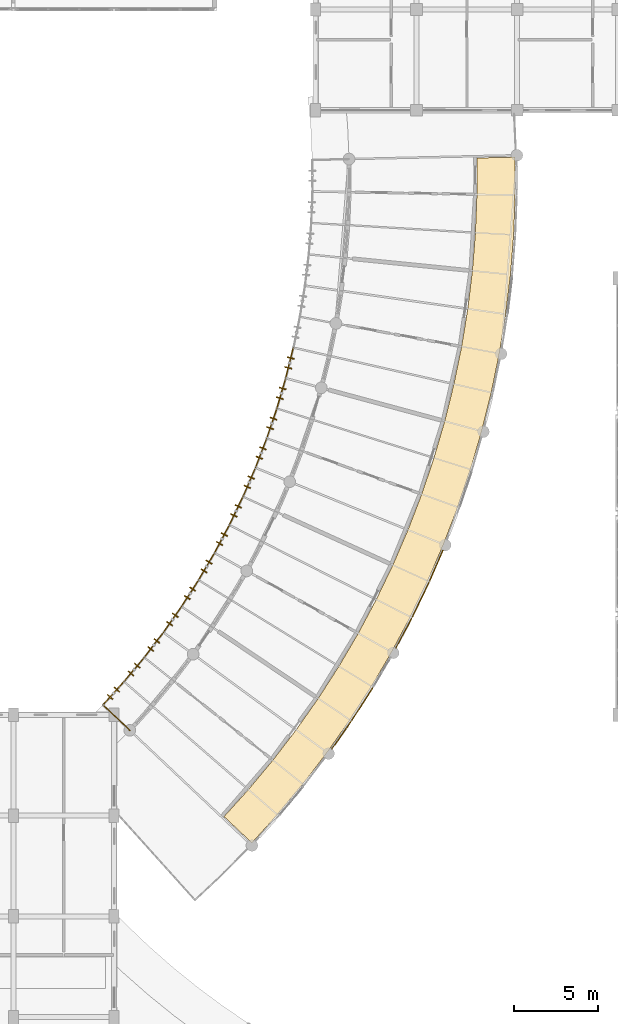
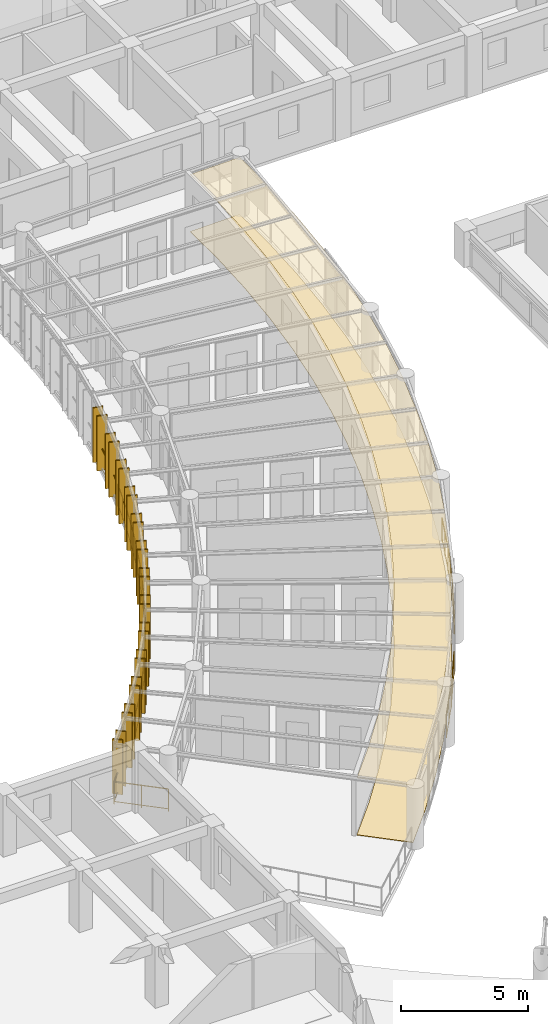
# One storey, part 124 of 137: 26 shading devices, 19 railings, 2 coverings.
"""IFC4 building model written with IfcOpenShell, lengths in metres."""

import ifcopenshell
import ifcopenshell.guid

model = None  # the IFC model being written
_history = None  # IfcOwnerHistory: only IFC2X3 demands one
_inside = {}  # id of a spatial element -> (the spatial element, [elements in it])
_under = {}  # id of a project, library or spatial element -> (it, [spatial elements below it])
_declared = {}  # id of a project -> (the project, [libraries it declares])
_typed = {}  # id of a type object -> (the type object, [elements of that type])
_made_of = {}  # id of a material, layer set ... -> (it, [elements and type objects made of it])


def new_model(schema):
    """Start an empty IFC model of exactly this schema.

    Asked for "IFC4X3", IfcOpenShell would pick the latest addendum, in which some entities
    have other attributes; the version numbers below select the first issue.
    IFC2X3 requires an IfcOwnerHistory on every rooted entity: one is made here for all.
    """
    global model, _history
    if schema == "IFC4X3":
        model = ifcopenshell.file(schema_version=(4, 3, 0, 0))
    else:
        model = ifcopenshell.file(schema=schema)
    _inside.clear()
    _under.clear()
    _declared.clear()
    _typed.clear()
    _made_of.clear()
    _history = None
    if model.schema == "IFC2X3":
        org = make("IfcOrganization", Name="unknown")
        user = make(
            "IfcPersonAndOrganization",
            ThePerson=make("IfcPerson", FamilyName="unknown"),
            TheOrganization=org,
        )
        app = make(
            "IfcApplication",
            ApplicationDeveloper=org,
            Version="unknown",
            ApplicationFullName="unknown",
            ApplicationIdentifier="unknown",
        )
        _history = make(
            "IfcOwnerHistory",
            OwningUser=user,
            OwningApplication=app,
            ChangeAction="ADDED",
            CreationDate=0,
        )
    return model


def make(cls, **values):
    """One entity of the class cls with the attributes given. An attribute that is None is left unset."""
    return model.create_entity(
        cls, **{name: value for name, value in values.items() if value is not None}
    )


def rooted(cls, **values):
    """An entity with a GlobalId (a new one), such as an element, a storey or a relation."""
    return make(cls, GlobalId=ifcopenshell.guid.new(), OwnerHistory=_history, **values)


def si_unit(unit_type, name, prefix=None):
    """IfcSIUnit, for example si_unit("LENGTHUNIT", "METRE", prefix="MILLI")."""
    return make("IfcSIUnit", UnitType=unit_type, Prefix=prefix, Name=name)


def assignment(units):
    """IfcUnitAssignment: the units of a project."""
    return None if units is None else make("IfcUnitAssignment", Units=units)


def point(xyz):
    """IfcCartesianPoint."""
    return None if xyz is None else make("IfcCartesianPoint", Coordinates=xyz)


def direction(xyz):
    """IfcDirection."""
    return None if xyz is None else make("IfcDirection", DirectionRatios=xyz)


def frame(location, z_axis=None, x_axis=None):
    """IfcAxis2Placement3D, a coordinate frame: its origin and axes. An axis left out is left unset."""
    return make(
        "IfcAxis2Placement3D",
        Location=point(location),
        Axis=direction(z_axis),
        RefDirection=direction(x_axis),
    )


def frame_2d(location, x_axis=None):
    """IfcAxis2Placement2D, a coordinate frame in the plane: its origin and x axis."""
    return make(
        "IfcAxis2Placement2D", Location=point(location), RefDirection=direction(x_axis)
    )


def origin():
    """The frame at (0, 0, 0) with its axes left unset."""
    return frame((0.0, 0.0, 0.0))


def origin_2d():
    """The frame at (0, 0) in the plane with its x axis left unset."""
    return frame_2d((0.0, 0.0))


def place(relative_to, where):
    """IfcLocalPlacement: puts the frame where relative to a parent placement (None: the world)."""
    return make(
        "IfcLocalPlacement", PlacementRelTo=relative_to, RelativePlacement=where
    )


def context(
    kind, dimensions, precision=None, world=None, true_north=None, identifier=None
):
    """IfcGeometricRepresentationContext, for example the 3D "Model" context."""
    return make(
        "IfcGeometricRepresentationContext",
        ContextIdentifier=identifier,
        ContextType=kind,
        CoordinateSpaceDimension=dimensions,
        Precision=precision,
        WorldCoordinateSystem=world,
        TrueNorth=true_north,
    )


def subcontext(parent, identifier, kind, view, scale=None):
    """IfcGeometricRepresentationSubContext, for example "Body" below "Model"."""
    return make(
        "IfcGeometricRepresentationSubContext",
        ContextIdentifier=identifier,
        ContextType=kind,
        ParentContext=parent,
        TargetScale=scale,
        TargetView=view,
    )


def project(units=None, contexts=None):
    """IfcProject with its units and contexts."""
    return rooted(
        "IfcProject",
        Name="project",
        RepresentationContexts=contexts,
        UnitsInContext=assignment(units),
    )


def spatial(cls, under=None, at=None, **own):
    """A site, building, storey or space (cls), placed at a placement, below another one or the project."""
    s = rooted(cls, ObjectPlacement=at, **own)
    if under is not None:
        _under.setdefault(under.id(), (under, []))[1].append(s)
    return s


def polyline(points):
    """IfcPolyline through the points."""
    return make("IfcPolyline", Points=[point(p) for p in points])


def profile(cls, at=None, kind="AREA", **sizes):
    """A parametric profile (cls). Its sizes go by their IFC names, for example OverallWidth=200.0."""
    return make(cls, ProfileType=kind, Position=at, **sizes)


def rectangle(**sizes):
    """IfcRectangleProfileDef."""
    return profile("IfcRectangleProfileDef", **sizes)


def circle(**sizes):
    """IfcCircleProfileDef."""
    return profile("IfcCircleProfileDef", **sizes)


def outline(outer, holes=None, kind="AREA"):
    """IfcArbitraryClosedProfileDef: a profile drawn as a closed curve; with holes, ...WithVoids."""
    if holes is None:
        return make("IfcArbitraryClosedProfileDef", ProfileType=kind, OuterCurve=outer)
    return make(
        "IfcArbitraryProfileDefWithVoids",
        ProfileType=kind,
        OuterCurve=outer,
        InnerCurves=holes,
    )


def extrude(swept, where, along, depth):
    """IfcExtrudedAreaSolid: the profile swept, set in the frame where, extruded along a direction by depth."""
    return make(
        "IfcExtrudedAreaSolid",
        SweptArea=swept,
        Position=where,
        ExtrudedDirection=direction(along),
        Depth=depth,
    )


def shape(context_of_items, identifier, shape_type, items):
    """IfcShapeRepresentation: the items that make up one representation, for example the "Body"."""
    return make(
        "IfcShapeRepresentation",
        ContextOfItems=context_of_items,
        RepresentationIdentifier=identifier,
        RepresentationType=shape_type,
        Items=items,
    )


def material(Name=None, Category=None):
    """IfcMaterial."""
    return make("IfcMaterial", Name=Name, Category=Category)


def layer(
    of_material, thickness, ventilated=None, Name=None, Category=None, Priority=None
):
    """IfcMaterialLayer: one layer of a wall or slab, of a material (None: an air gap)."""
    return make(
        "IfcMaterialLayer",
        Material=of_material,
        LayerThickness=thickness,
        IsVentilated=ventilated,
        Name=Name,
        Category=Category,
        Priority=Priority,
    )


def layer_set(layers, Name=None):
    """IfcMaterialLayerSet."""
    return make("IfcMaterialLayerSet", MaterialLayers=layers, LayerSetName=Name)


def made_of(thing, what):
    """Note that an element or type object is made of a material, layer set ...; save() writes the relation."""
    if what is not None:
        _made_of.setdefault(what.id(), (what, []))[1].append(thing)
    return thing


def type_object(cls, material=None, **own):
    """A type object (cls), such as IfcWallType, which elements share."""
    return made_of(rooted(cls, **own), material)


def element(
    cls,
    number,
    at=None,
    inside=None,
    cuts=None,
    type_object=None,
    material=None,
    context=None,
    identifier="Body",
    shape_type=None,
    held_by="IfcProductDefinitionShape",
    body=None,
    shapes=None,
    **own,
):
    """One element of the class cls, such as IfcWall. Its Tag is "e" and its number.

    at: its placement. inside: the storey or other place that contains it. cuts: it is an
    opening in that element (IfcRelVoidsElement). A single representation is given by context,
    identifier, shape_type and body (its items); several are given by shapes. held_by: the class
    of the entity that holds the representations. save() writes the other relations.
    """
    e = rooted(cls, Tag="e%d" % number, ObjectPlacement=at, **own)
    if body is not None:
        shapes = [shape(context, identifier, shape_type, body)]
    if shapes is not None:
        e.Representation = make(held_by, Representations=shapes)
    if inside is not None:
        _inside.setdefault(inside.id(), (inside, []))[1].append(e)
    if cuts is not None:
        rooted(
            "IfcRelVoidsElement", RelatingBuildingElement=cuts, RelatedOpeningElement=e
        )
    if type_object is not None:
        _typed.setdefault(type_object.id(), (type_object, []))[1].append(e)
    return made_of(e, material)


def aggregate(whole, parts):
    """IfcRelAggregates: a whole, such as a stair, and the parts it consists of."""
    return rooted("IfcRelAggregates", RelatingObject=whole, RelatedObjects=parts)


def save(model, path):
    """Write the relations noted so far, then the file.

    IfcRelAggregates (storeys below a building ...), IfcRelContainedInSpatialStructure (elements
    in a storey), IfcRelDefinesByType, IfcRelAssociatesMaterial and IfcRelDeclares: one each for
    every whole, place, type object, material and project.
    """
    for whole, parts in _under.values():
        aggregate(whole, parts)
    for where, things in _inside.values():
        rooted(
            "IfcRelContainedInSpatialStructure",
            RelatedElements=things,
            RelatingStructure=where,
        )
    for kind, things in _typed.values():
        rooted("IfcRelDefinesByType", RelatedObjects=things, RelatingType=kind)
    for what, things in _made_of.values():
        rooted("IfcRelAssociatesMaterial", RelatedObjects=things, RelatingMaterial=what)
    for by, libraries in _declared.values():
        rooted("IfcRelDeclares", RelatingContext=by, RelatedDefinitions=libraries)
    model.write(path)


model = new_model("IFC4")

# Units and contexts
model_context = context("Model", 3, precision=1e-05, world=origin(), true_north=direction((0.0, 1.0)))
body_context = subcontext(model_context, "Body", "Model", "MODEL_VIEW")
ifc_project = project(units=[si_unit("LENGTHUNIT", "METRE"), si_unit("AREAUNIT", "SQUARE_METRE"), si_unit("VOLUMEUNIT", "CUBIC_METRE"), si_unit("PLANEANGLEUNIT", "RADIAN"), si_unit("MASSUNIT", "GRAM", prefix="KILO"), si_unit("POWERUNIT", "WATT"), si_unit("THERMODYNAMICTEMPERATUREUNIT", "KELVIN")], contexts=[model_context])

# Site, building, storey
site_placement = place(None, origin())
site = spatial("IfcSite", under=ifc_project, at=site_placement, CompositionType="ELEMENT")
building_placement = place(site_placement, origin())
building = spatial("IfcBuilding", under=site, at=building_placement, Name="Ruvembo Vaulted Housing Court", CompositionType="ELEMENT")
storey_placement = place(building_placement, frame((0.0, 0.0, 4.5)))
storey = spatial("IfcBuildingStorey", under=building, at=storey_placement, Name="L01", CompositionType="ELEMENT", Elevation=4.5)

# Coverings
ifc_material_1 = material(Name="Perforated Mineral-Fibre Acoustic Tile", Category="gypsum")
ifc_layer_1 = layer(ifc_material_1, 0.02001953125, Name="Perforated Mineral-Fibre Acoustic Tile")
ifc_layer_set_1 = layer_set([ifc_layer_1], Name="Perforated Mineral-Fibre Acoustic Tile")
covering_type_1 = type_object("IfcCoveringType", Name="COV-CEIL-ACOUST", PredefinedType="CEILING", material=ifc_layer_set_1)
covering_1_placement = place(storey_placement, frame((0.0, 0.0, 2.75)))
element("IfcCovering", 1, at=covering_1_placement, inside=storey, type_object=covering_type_1, Name="Scoop SC1 L01 Shaded Access Gallery Ceiling", PredefinedType="CEILING", context=body_context, shape_type="SweptSolid", body=[
    extrude(outline(polyline([(43.99853515625, 37.550048828125), (43.99560546875, 37.546630859375), (42.54248046875, 35.940185546875), (44.201416015625, 34.37646484375), (45.718994140625, 36.053955078125), (47.23681640625, 37.876708984375), (48.6787109375, 39.76025390625), (50.0419921875, 41.701171875), (51.324951171875, 43.6962890625), (52.52490234375, 45.742431640625), (53.64013671875, 47.8359375), (54.66845703125, 49.973388671875), (55.608642578125, 52.151123046875), (56.45849609375, 54.36572265625), (57.21728515625, 56.613037109375), (57.88330078125, 58.8896484375), (58.455322265625, 61.191650390625), (58.9326171875, 63.51513671875), (59.314208984375, 65.856201171875), (59.599853515625, 68.2109375), (59.78857421875, 70.575439453125), (59.88037109375, 72.94580078125), (59.875244140625, 75.207763671875), (57.595703125, 75.156005859375), (57.600830078125, 72.989501953125), (57.6005859375, 72.985107421875), (57.5126953125, 70.712646484375), (57.512451171875, 70.7080078125), (57.33154296875, 68.441162109375), (57.3310546875, 68.436767578125), (57.057373046875, 66.17919921875), (57.056640625, 66.1748046875), (56.690673828125, 63.930419921875), (56.68994140625, 63.926025390625), (56.232421875, 61.698486328125), (56.231201171875, 61.694091796875), (55.682861328125, 59.487060546875), (55.681640625, 59.482666015625), (55.043212890625, 57.300048828125), (55.041748046875, 57.2958984375), (54.314453125, 55.14111328125), (54.31298828125, 55.136962890625), (53.498046875, 53.013916015625), (53.496337890625, 53.009521484375), (52.59521484375, 50.921875), (52.59326171875, 50.917724609375), (51.607177734375, 48.868408203125), (51.605224609375, 48.864501953125), (50.535888671875, 46.857421875), (50.53369140625, 46.853515625), (49.38330078125, 44.891845703125), (49.381103515625, 44.887939453125), (48.151123046875, 42.97509765625), (48.148681640625, 42.971435546875), (46.841552734375, 41.110595703125), (46.8388671875, 41.10693359375), (45.456298828125, 39.30126953125), (45.45361328125, 39.297607421875), (43.99853515625, 37.550048828125)])), origin(), (0.0, 0.0, 1.0), 0.02001953125),
])
ifc_material_2 = material(Name="Polished Cement-Aggregate Terrazzo", Category="stone")
ifc_layer_2 = layer(ifc_material_2, 0.02197265625, Name="Polished Cement-Aggregate Terrazzo")
ifc_layer_set_2 = layer_set([ifc_layer_2], Name="Polished Cement-Aggregate Terrazzo")
covering_type_2 = type_object("IfcCoveringType", Name="COV-FLR-CERAMIC", PredefinedType="FLOORING", material=ifc_layer_set_2)
covering_2_placement = place(storey_placement, origin())
element("IfcCovering", 2, at=covering_2_placement, inside=storey, type_object=covering_type_2, Name="Scoop SC1 L01 Shaded Access Gallery Flooring", PredefinedType="FLOORING", context=body_context, shape_type="SweptSolid", body=[
    extrude(outline(polyline([(43.99853515625, 37.550048828125), (43.99560546875, 37.546630859375), (42.54248046875, 35.940185546875), (44.201416015625, 34.37646484375), (45.718994140625, 36.053955078125), (47.23681640625, 37.876708984375), (48.6787109375, 39.76025390625), (50.0419921875, 41.701171875), (51.324951171875, 43.6962890625), (52.52490234375, 45.742431640625), (53.64013671875, 47.8359375), (54.66845703125, 49.973388671875), (55.608642578125, 52.151123046875), (56.45849609375, 54.36572265625), (57.21728515625, 56.613037109375), (57.88330078125, 58.8896484375), (58.455322265625, 61.191650390625), (58.9326171875, 63.51513671875), (59.314208984375, 65.856201171875), (59.599853515625, 68.2109375), (59.78857421875, 70.575439453125), (59.88037109375, 72.94580078125), (59.875244140625, 75.207763671875), (57.595703125, 75.156005859375), (57.600830078125, 72.989501953125), (57.6005859375, 72.985107421875), (57.5126953125, 70.712646484375), (57.512451171875, 70.7080078125), (57.33154296875, 68.441162109375), (57.3310546875, 68.436767578125), (57.057373046875, 66.17919921875), (57.056640625, 66.1748046875), (56.690673828125, 63.930419921875), (56.68994140625, 63.926025390625), (56.232421875, 61.698486328125), (56.231201171875, 61.694091796875), (55.682861328125, 59.487060546875), (55.681640625, 59.482666015625), (55.043212890625, 57.300048828125), (55.041748046875, 57.2958984375), (54.314453125, 55.14111328125), (54.31298828125, 55.136962890625), (53.498046875, 53.013916015625), (53.496337890625, 53.009521484375), (52.59521484375, 50.921875), (52.59326171875, 50.917724609375), (51.607177734375, 48.868408203125), (51.605224609375, 48.864501953125), (50.535888671875, 46.857421875), (50.53369140625, 46.853515625), (49.38330078125, 44.891845703125), (49.381103515625, 44.887939453125), (48.151123046875, 42.97509765625), (48.148681640625, 42.971435546875), (46.841552734375, 41.110595703125), (46.8388671875, 41.10693359375), (45.456298828125, 39.30126953125), (45.45361328125, 39.297607421875), (43.99853515625, 37.550048828125)])), origin(), (0.0, 0.0, 1.0), 0.02197265625),
])

# Railings
ifc_material_3 = material(Name="Galvanised Painted Steel and Laminated Glass", Category="steel")
ifc_layer_3 = layer(ifc_material_3, 0.070068359375, Name="Galvanised Painted Steel and Laminated Glass")
ifc_layer_set_3 = layer_set([ifc_layer_3], Name="Galvanised Painted Steel and Laminated Glass")
railing_type_1 = type_object("IfcRailingType", Name="RL-BALUST-1120", PredefinedType="BALUSTRADE", material=ifc_layer_set_3)
railing_1_placement = place(storey_placement, frame((48.968505859375, 39.981689453125, 0.0)))
element("IfcRailing", 3, at=railing_1_placement, inside=storey, type_object=railing_type_1, Name="L01 Perimeter Guard RL-EXT-L01-0039", PredefinedType="BALUSTRADE", context=body_context, shape_type="SweptSolid", body=[
    extrude(circle(Radius=0.02392578125, at=origin_2d()), frame((0.0, 0.0, 1.09619140625), z_axis=(0.574804697317, 0.818290632931, 0.0), x_axis=(-0.818290632931, 0.574804697317, 0.0)), (0.0, 0.0, 1.0), 1.976318359375),
    extrude(circle(Radius=0.01806640625, at=origin_2d()), frame((0.0, 0.0, 0.1201171875), z_axis=(0.574804697317, 0.818290632931, 0.0), x_axis=(-0.818290632931, 0.574804697317, 0.0)), (0.0, 0.0, 1.0), 1.976318359375),
    extrude(circle(Radius=0.02099609375, at=origin_2d()), origin(), (0.0, 0.0, 1.0), 1.072021484375),
    extrude(circle(Radius=0.02099609375, at=origin_2d()), frame((0.56787109375, 0.80859375, 0.0)), (0.0, 0.0, 1.0), 1.072021484375),
    extrude(circle(Radius=0.02099609375, at=origin_2d()), frame((1.135986328125, 1.6171875, 0.0)), (0.0, 0.0, 1.0), 1.072021484375),
])
railing_2_placement = place(storey_placement, frame((50.160400390625, 41.681884765625, 0.0)))
element("IfcRailing", 4, at=railing_2_placement, inside=storey, type_object=railing_type_1, Name="L01 Perimeter Guard RL-EXT-L01-0040", PredefinedType="BALUSTRADE", context=body_context, shape_type="SweptSolid", body=[
    extrude(circle(Radius=0.02392578125, at=origin_2d()), frame((0.0, 0.0, 1.09619140625), z_axis=(0.540838894016, 0.8411262038, 0.0), x_axis=(-0.8411262038, 0.540838894016, 0.0)), (0.0, 0.0, 1.0), 2.2763671875),
    extrude(circle(Radius=0.01806640625, at=origin_2d()), frame((0.0, 0.0, 0.1201171875), z_axis=(0.540838894016, 0.8411262038, 0.0), x_axis=(-0.8411262038, 0.540838894016, 0.0)), (0.0, 0.0, 1.0), 2.2763671875),
    extrude(circle(Radius=0.02099609375, at=origin_2d()), origin(), (0.0, 0.0, 1.0), 1.072021484375),
    extrude(circle(Radius=0.02099609375, at=origin_2d()), frame((0.61572265625, 0.95751953125, 0.0)), (0.0, 0.0, 1.0), 1.072021484375),
    extrude(circle(Radius=0.02099609375, at=origin_2d()), frame((1.231201171875, 1.914794921875, 0.0)), (0.0, 0.0, 1.0), 1.072021484375),
])
railing_3_placement = place(storey_placement, frame((52.785400390625, 45.997802734375, 0.0)))
element("IfcRailing", 5, at=railing_3_placement, inside=storey, type_object=railing_type_1, Name="L01 Perimeter Guard RL-EXT-L01-0041", PredefinedType="BALUSTRADE", context=body_context, shape_type="SweptSolid", body=[
    extrude(circle(Radius=0.02392578125, at=origin_2d()), frame((0.0, 0.0, 1.09619140625), z_axis=(0.470139378087, 0.882592185084, 0.0), x_axis=(-0.882592185084, 0.470139378087, 0.0)), (0.0, 0.0, 1.0), 1.976318359375),
    extrude(circle(Radius=0.01806640625, at=origin_2d()), frame((0.0, 0.0, 0.1201171875), z_axis=(0.470139378087, 0.882592185084, 0.0), x_axis=(-0.882592185084, 0.470139378087, 0.0)), (0.0, 0.0, 1.0), 1.976318359375),
    extrude(circle(Radius=0.02099609375, at=origin_2d()), origin(), (0.0, 0.0, 1.0), 1.072021484375),
    extrude(circle(Radius=0.02099609375, at=origin_2d()), frame((0.464599609375, 0.8720703125, 0.0)), (0.0, 0.0, 1.0), 1.072021484375),
    extrude(circle(Radius=0.02099609375, at=origin_2d()), frame((0.92919921875, 1.744384765625, 0.0)), (0.0, 0.0, 1.0), 1.072021484375),
])
railing_4_placement = place(storey_placement, frame((53.760009765625, 47.831298828125, 0.0)))
element("IfcRailing", 6, at=railing_4_placement, inside=storey, type_object=railing_type_1, Name="L01 Perimeter Guard RL-EXT-L01-0042", PredefinedType="BALUSTRADE", context=body_context, shape_type="SweptSolid", body=[
    extrude(circle(Radius=0.02392578125, at=origin_2d()), frame((0.0, 0.0, 1.09619140625), z_axis=(0.433477019687, 0.90116462059, 0.0), x_axis=(-0.90116462059, 0.433477019687, 0.0)), (0.0, 0.0, 1.0), 2.276611328125),
    extrude(circle(Radius=0.01806640625, at=origin_2d()), frame((0.0, 0.0, 0.1201171875), z_axis=(0.433477019687, 0.90116462059, 0.0), x_axis=(-0.90116462059, 0.433477019687, 0.0)), (0.0, 0.0, 1.0), 2.276611328125),
    extrude(circle(Radius=0.02099609375, at=origin_2d()), origin(), (0.0, 0.0, 1.0), 1.072021484375),
    extrude(circle(Radius=0.02099609375, at=origin_2d()), frame((0.493408203125, 1.02587890625, 0.0)), (0.0, 0.0, 1.0), 1.072021484375),
    extrude(circle(Radius=0.02099609375, at=origin_2d()), frame((0.98681640625, 2.051513671875, 0.0)), (0.0, 0.0, 1.0), 1.072021484375),
])
railing_5_placement = place(storey_placement, frame((54.788330078125, 49.9736328125, 0.0)))
element("IfcRailing", 7, at=railing_5_placement, inside=storey, type_object=railing_type_1, Name="L01 Perimeter Guard RL-EXT-L01-0043", PredefinedType="BALUSTRADE", context=body_context, shape_type="SweptSolid", body=[
    extrude(circle(Radius=0.02392578125, at=origin_2d()), frame((0.0, 0.0, 1.09619140625), z_axis=(0.39636266904, 0.91809402274, 0.0), x_axis=(-0.91809402274, 0.39636266904, 0.0)), (0.0, 0.0, 1.0), 1.9765625),
    extrude(circle(Radius=0.01806640625, at=origin_2d()), frame((0.0, 0.0, 0.1201171875), z_axis=(0.39636266904, 0.91809402274, 0.0), x_axis=(-0.91809402274, 0.39636266904, 0.0)), (0.0, 0.0, 1.0), 1.9765625),
    extrude(circle(Radius=0.02099609375, at=origin_2d()), origin(), (0.0, 0.0, 1.0), 1.072021484375),
    extrude(circle(Radius=0.02099609375, at=origin_2d()), frame((0.3916015625, 0.9072265625, 0.0)), (0.0, 0.0, 1.0), 1.072021484375),
    extrude(circle(Radius=0.02099609375, at=origin_2d()), frame((0.783447265625, 1.814697265625, 0.0)), (0.0, 0.0, 1.0), 1.072021484375),
])
ifc_material_4 = material(Name="Galvanised Painted Steel S275", Category="steel")
ifc_layer_4 = layer(ifc_material_4, 0.06005859375, Name="Galvanised Painted Steel S275")
ifc_layer_set_4 = layer_set([ifc_layer_4], Name="Galvanised Painted Steel S275")
railing_type_2 = type_object("IfcRailingType", Name="RL-GUARD-1100", PredefinedType="GUARDRAIL", material=ifc_layer_set_4)
railing_6_placement = place(storey_placement, frame((36.9306640625, 41.078125, 0.0)))
element("IfcRailing", 8, at=railing_6_placement, inside=storey, type_object=railing_type_2, Name="L01 Perimeter Guard RL-EXT-L01-0016", PredefinedType="GUARDRAIL", context=body_context, shape_type="SweptSolid", body=[
    extrude(circle(Radius=0.02392578125, at=origin_2d()), frame((0.0, 0.0, 1.076171875), z_axis=(-0.727769798271, 0.685821493338, 0.0), x_axis=(-0.685821493338, -0.727769798271, 0.0)), (0.0, 0.0, 1.0), 2.199951171875),
    extrude(circle(Radius=0.01806640625, at=origin_2d()), frame((0.0, 0.0, 0.1201171875), z_axis=(-0.727769798271, 0.685821493338, 0.0), x_axis=(-0.685821493338, -0.727769798271, 0.0)), (0.0, 0.0, 1.0), 2.199951171875),
    extrude(circle(Radius=0.02099609375, at=origin_2d()), origin(), (0.0, 0.0, 1.0), 1.052001953125),
    extrude(circle(Radius=0.02099609375, at=origin_2d()), frame((-0.800537109375, 0.75439453125, 0.0)), (0.0, 0.0, 1.0), 1.052001953125),
    extrude(circle(Radius=0.02099609375, at=origin_2d()), frame((-1.60107421875, 1.5087890625, 0.0)), (0.0, 0.0, 1.0), 1.052001953125),
])
railing_7_placement = place(storey_placement, frame((35.32958984375, 42.5869140625, 0.0)))
element("IfcRailing", 9, at=railing_7_placement, inside=storey, type_object=railing_type_2, Name="L01 Perimeter Guard RL-EXT-L01-0017", PredefinedType="GUARDRAIL", context=body_context, shape_type="SweptSolid", body=[
    extrude(circle(Radius=0.02392578125, at=origin_2d()), frame((0.0, 0.0, 1.076171875), z_axis=(0.670766832997, 0.741668292265, 0.0), x_axis=(-0.741668292265, 0.670766832997, 0.0)), (0.0, 0.0, 1.0), 1.876708984375),
    extrude(circle(Radius=0.01806640625, at=origin_2d()), frame((0.0, 0.0, 0.1201171875), z_axis=(0.670766832997, 0.741668292265, 0.0), x_axis=(-0.741668292265, 0.670766832997, 0.0)), (0.0, 0.0, 1.0), 1.876708984375),
    extrude(circle(Radius=0.02099609375, at=origin_2d()), origin(), (0.0, 0.0, 1.0), 1.052001953125),
    extrude(circle(Radius=0.02099609375, at=origin_2d()), frame((0.62939453125, 0.69580078125, 0.0)), (0.0, 0.0, 1.0), 1.052001953125),
    extrude(circle(Radius=0.02099609375, at=origin_2d()), frame((1.2587890625, 1.391845703125, 0.0)), (0.0, 0.0, 1.0), 1.052001953125),
])
railing_8_placement = place(storey_placement, frame((36.58837890625, 43.978759765625, 0.0)))
element("IfcRailing", 10, at=railing_8_placement, inside=storey, type_object=railing_type_2, Name="L01 Perimeter Guard RL-EXT-L01-0018", PredefinedType="GUARDRAIL", context=body_context, shape_type="SweptSolid", body=[
    extrude(circle(Radius=0.02392578125, at=origin_2d()), frame((0.0, 0.0, 1.076171875), z_axis=(0.639915648776, 0.76844515904, 0.0), x_axis=(-0.76844515904, 0.639915648776, 0.0)), (0.0, 0.0, 1.0), 1.876708984375),
    extrude(circle(Radius=0.01806640625, at=origin_2d()), frame((0.0, 0.0, 0.1201171875), z_axis=(0.639915648776, 0.76844515904, 0.0), x_axis=(-0.76844515904, 0.639915648776, 0.0)), (0.0, 0.0, 1.0), 1.876708984375),
    extrude(circle(Radius=0.02099609375, at=origin_2d()), origin(), (0.0, 0.0, 1.0), 1.052001953125),
    extrude(circle(Radius=0.02099609375, at=origin_2d()), frame((0.6005859375, 0.72119140625, 0.0)), (0.0, 0.0, 1.0), 1.052001953125),
    extrude(circle(Radius=0.02099609375, at=origin_2d()), frame((1.200927734375, 1.442138671875, 0.0)), (0.0, 0.0, 1.0), 1.052001953125),
])
railing_9_placement = place(storey_placement, frame((37.789306640625, 45.4208984375, 0.0)))
element("IfcRailing", 11, at=railing_9_placement, inside=storey, type_object=railing_type_2, Name="L01 Perimeter Guard RL-EXT-L01-0019", PredefinedType="GUARDRAIL", context=body_context, shape_type="SweptSolid", body=[
    extrude(circle(Radius=0.02392578125, at=origin_2d()), frame((0.0, 0.0, 1.076171875), z_axis=(0.607860517304, 0.794043822155, 0.0), x_axis=(-0.794043822155, 0.607860517304, 0.0)), (0.0, 0.0, 1.0), 1.87646484375),
    extrude(circle(Radius=0.01806640625, at=origin_2d()), frame((0.0, 0.0, 0.1201171875), z_axis=(0.607860517304, 0.794043822155, 0.0), x_axis=(-0.794043822155, 0.607860517304, 0.0)), (0.0, 0.0, 1.0), 1.87646484375),
    extrude(circle(Radius=0.02099609375, at=origin_2d()), origin(), (0.0, 0.0, 1.0), 1.052001953125),
    extrude(circle(Radius=0.02099609375, at=origin_2d()), frame((0.5703125, 0.7451171875, 0.0)), (0.0, 0.0, 1.0), 1.052001953125),
    extrude(circle(Radius=0.02099609375, at=origin_2d()), frame((1.140625, 1.489990234375, 0.0)), (0.0, 0.0, 1.0), 1.052001953125),
])
railing_10_placement = place(storey_placement, frame((38.929931640625, 46.910888671875, 0.0)))
element("IfcRailing", 12, at=railing_10_placement, inside=storey, type_object=railing_type_2, Name="L01 Perimeter Guard RL-EXT-L01-0020", PredefinedType="GUARDRAIL", context=body_context, shape_type="SweptSolid", body=[
    extrude(circle(Radius=0.02392578125, at=origin_2d()), frame((0.0, 0.0, 1.076171875), z_axis=(0.574858427718, 0.81825288761, 0.0), x_axis=(-0.81825288761, 0.574858427718, 0.0)), (0.0, 0.0, 1.0), 1.876708984375),
    extrude(circle(Radius=0.01806640625, at=origin_2d()), frame((0.0, 0.0, 0.1201171875), z_axis=(0.574858427718, 0.81825288761, 0.0), x_axis=(-0.81825288761, 0.574858427718, 0.0)), (0.0, 0.0, 1.0), 1.876708984375),
    extrude(circle(Radius=0.02099609375, at=origin_2d()), origin(), (0.0, 0.0, 1.0), 1.052001953125),
    extrude(circle(Radius=0.02099609375, at=origin_2d()), frame((0.53955078125, 0.767822265625, 0.0)), (0.0, 0.0, 1.0), 1.052001953125),
    extrude(circle(Radius=0.02099609375, at=origin_2d()), frame((1.078857421875, 1.53564453125, 0.0)), (0.0, 0.0, 1.0), 1.052001953125),
])
railing_11_placement = place(storey_placement, frame((40.0087890625, 48.446533203125, 0.0)))
element("IfcRailing", 13, at=railing_11_placement, inside=storey, type_object=railing_type_2, Name="L01 Perimeter Guard RL-EXT-L01-0021", PredefinedType="GUARDRAIL", context=body_context, shape_type="SweptSolid", body=[
    extrude(circle(Radius=0.02392578125, at=origin_2d()), frame((0.0, 0.0, 1.076171875), z_axis=(0.540783890821, 0.841161567969, 0.0), x_axis=(-0.841161567969, 0.540783890821, 0.0)), (0.0, 0.0, 1.0), 1.876708984375),
    extrude(circle(Radius=0.01806640625, at=origin_2d()), frame((0.0, 0.0, 0.1201171875), z_axis=(0.540783890821, 0.841161567969, 0.0), x_axis=(-0.841161567969, 0.540783890821, 0.0)), (0.0, 0.0, 1.0), 1.876708984375),
    extrude(circle(Radius=0.02099609375, at=origin_2d()), origin(), (0.0, 0.0, 1.0), 1.052001953125),
    extrude(circle(Radius=0.02099609375, at=origin_2d()), frame((0.50732421875, 0.789306640625, 0.0)), (0.0, 0.0, 1.0), 1.052001953125),
    extrude(circle(Radius=0.02099609375, at=origin_2d()), frame((1.014892578125, 1.57861328125, 0.0)), (0.0, 0.0, 1.0), 1.052001953125),
])
railing_12_placement = place(storey_placement, frame((41.023681640625, 50.025146484375, 0.0)))
element("IfcRailing", 14, at=railing_12_placement, inside=storey, type_object=railing_type_2, Name="L01 Perimeter Guard RL-EXT-L01-0022", PredefinedType="GUARDRAIL", context=body_context, shape_type="SweptSolid", body=[
    extrude(circle(Radius=0.02392578125, at=origin_2d()), frame((0.0, 0.0, 1.076171875), z_axis=(0.505859733288, 0.862615748893, 0.0), x_axis=(-0.862615748893, 0.505859733288, 0.0)), (0.0, 0.0, 1.0), 1.87646484375),
    extrude(circle(Radius=0.01806640625, at=origin_2d()), frame((0.0, 0.0, 0.1201171875), z_axis=(0.505859733288, 0.862615748893, 0.0), x_axis=(-0.862615748893, 0.505859733288, 0.0)), (0.0, 0.0, 1.0), 1.87646484375),
    extrude(circle(Radius=0.02099609375, at=origin_2d()), origin(), (0.0, 0.0, 1.0), 1.052001953125),
    extrude(circle(Radius=0.02099609375, at=origin_2d()), frame((0.474609375, 0.809326171875, 0.0)), (0.0, 0.0, 1.0), 1.052001953125),
    extrude(circle(Radius=0.02099609375, at=origin_2d()), frame((0.94921875, 1.61865234375, 0.0)), (0.0, 0.0, 1.0), 1.052001953125),
])
railing_13_placement = place(storey_placement, frame((41.972900390625, 51.643798828125, 0.0)))
element("IfcRailing", 15, at=railing_13_placement, inside=storey, type_object=railing_type_2, Name="L01 Perimeter Guard RL-EXT-L01-0023", PredefinedType="GUARDRAIL", context=body_context, shape_type="SweptSolid", body=[
    extrude(circle(Radius=0.02392578125, at=origin_2d()), frame((0.0, 0.0, 1.076171875), z_axis=(0.470115552325, 0.882604876183, 0.0), x_axis=(-0.882604876183, 0.470115552325, 0.0)), (0.0, 0.0, 1.0), 1.876708984375),
    extrude(circle(Radius=0.01806640625, at=origin_2d()), frame((0.0, 0.0, 0.1201171875), z_axis=(0.470115552325, 0.882604876183, 0.0), x_axis=(-0.882604876183, 0.470115552325, 0.0)), (0.0, 0.0, 1.0), 1.876708984375),
    extrude(circle(Radius=0.02099609375, at=origin_2d()), origin(), (0.0, 0.0, 1.0), 1.052001953125),
    extrude(circle(Radius=0.02099609375, at=origin_2d()), frame((0.441162109375, 0.828125, 0.0)), (0.0, 0.0, 1.0), 1.052001953125),
    extrude(circle(Radius=0.02099609375, at=origin_2d()), frame((0.88232421875, 1.656494140625, 0.0)), (0.0, 0.0, 1.0), 1.052001953125),
])
railing_14_placement = place(storey_placement, frame((42.855224609375, 53.30029296875, 0.0)))
element("IfcRailing", 16, at=railing_14_placement, inside=storey, type_object=railing_type_2, Name="L01 Perimeter Guard RL-EXT-L01-0024", PredefinedType="GUARDRAIL", context=body_context, shape_type="SweptSolid", body=[
    extrude(circle(Radius=0.02392578125, at=origin_2d()), frame((0.0, 0.0, 1.076171875), z_axis=(0.433631756601, 0.901090172883, 0.0), x_axis=(-0.901090172883, 0.433631756601, 0.0)), (0.0, 0.0, 1.0), 1.87646484375),
    extrude(circle(Radius=0.01806640625, at=origin_2d()), frame((0.0, 0.0, 0.1201171875), z_axis=(0.433631756601, 0.901090172883, 0.0), x_axis=(-0.901090172883, 0.433631756601, 0.0)), (0.0, 0.0, 1.0), 1.87646484375),
    extrude(circle(Radius=0.02099609375, at=origin_2d()), origin(), (0.0, 0.0, 1.0), 1.052001953125),
    extrude(circle(Radius=0.02099609375, at=origin_2d()), frame((0.40673828125, 0.845458984375, 0.0)), (0.0, 0.0, 1.0), 1.052001953125),
    extrude(circle(Radius=0.02099609375, at=origin_2d()), frame((0.813720703125, 1.69091796875, 0.0)), (0.0, 0.0, 1.0), 1.052001953125),
])
railing_15_placement = place(storey_placement, frame((43.6689453125, 54.9912109375, 0.0)))
element("IfcRailing", 17, at=railing_15_placement, inside=storey, type_object=railing_type_2, Name="L01 Perimeter Guard RL-EXT-L01-0025", PredefinedType="GUARDRAIL", context=body_context, shape_type="SweptSolid", body=[
    extrude(circle(Radius=0.02392578125, at=origin_2d()), frame((0.0, 0.0, 1.076171875), z_axis=(0.396288974503, 0.918125834887, 0.0), x_axis=(-0.918125834887, 0.396288974503, 0.0)), (0.0, 0.0, 1.0), 1.87646484375),
    extrude(circle(Radius=0.01806640625, at=origin_2d()), frame((0.0, 0.0, 0.1201171875), z_axis=(0.396288974503, 0.918125834887, 0.0), x_axis=(-0.918125834887, 0.396288974503, 0.0)), (0.0, 0.0, 1.0), 1.87646484375),
    extrude(circle(Radius=0.02099609375, at=origin_2d()), origin(), (0.0, 0.0, 1.0), 1.052001953125),
    extrude(circle(Radius=0.02099609375, at=origin_2d()), frame((0.371826171875, 0.861328125, 0.0)), (0.0, 0.0, 1.0), 1.052001953125),
    extrude(circle(Radius=0.02099609375, at=origin_2d()), frame((0.74365234375, 1.722900390625, 0.0)), (0.0, 0.0, 1.0), 1.052001953125),
])
railing_16_placement = place(storey_placement, frame((44.41259765625, 56.714111328125, 0.0)))
element("IfcRailing", 18, at=railing_16_placement, inside=storey, type_object=railing_type_2, Name="L01 Perimeter Guard RL-EXT-L01-0026", PredefinedType="GUARDRAIL", context=body_context, shape_type="SweptSolid", body=[
    extrude(circle(Radius=0.02392578125, at=origin_2d()), frame((0.0, 0.0, 1.076171875), z_axis=(0.358368836189, 0.933580086146, 0.0), x_axis=(-0.933580086146, 0.358368836189, 0.0)), (0.0, 0.0, 1.0), 1.876953125),
    extrude(circle(Radius=0.01806640625, at=origin_2d()), frame((0.0, 0.0, 0.1201171875), z_axis=(0.358368836189, 0.933580086146, 0.0), x_axis=(-0.933580086146, 0.358368836189, 0.0)), (0.0, 0.0, 1.0), 1.876953125),
    extrude(circle(Radius=0.02099609375, at=origin_2d()), origin(), (0.0, 0.0, 1.0), 1.052001953125),
    extrude(circle(Radius=0.02099609375, at=origin_2d()), frame((0.33642578125, 0.8759765625, 0.0)), (0.0, 0.0, 1.0), 1.052001953125),
    extrude(circle(Radius=0.02099609375, at=origin_2d()), frame((0.672607421875, 1.752197265625, 0.0)), (0.0, 0.0, 1.0), 1.052001953125),
])
railing_17_placement = place(storey_placement, frame((45.085205078125, 58.46630859375, 0.0)))
element("IfcRailing", 19, at=railing_17_placement, inside=storey, type_object=railing_type_2, Name="L01 Perimeter Guard RL-EXT-L01-0027", PredefinedType="GUARDRAIL", context=body_context, shape_type="SweptSolid", body=[
    extrude(circle(Radius=0.02392578125, at=origin_2d()), frame((0.0, 0.0, 1.076171875), z_axis=(0.319933403304, 0.947440033696, 0.0), x_axis=(-0.947440033696, 0.319933403304, 0.0)), (0.0, 0.0, 1.0), 1.87646484375),
    extrude(circle(Radius=0.01806640625, at=origin_2d()), frame((0.0, 0.0, 0.1201171875), z_axis=(0.319933403304, 0.947440033696, 0.0), x_axis=(-0.947440033696, 0.319933403304, 0.0)), (0.0, 0.0, 1.0), 1.87646484375),
    extrude(circle(Radius=0.02099609375, at=origin_2d()), origin(), (0.0, 0.0, 1.0), 1.052001953125),
    extrude(circle(Radius=0.02099609375, at=origin_2d()), frame((0.30029296875, 0.888916015625, 0.0)), (0.0, 0.0, 1.0), 1.052001953125),
    extrude(circle(Radius=0.02099609375, at=origin_2d()), frame((0.600341796875, 1.77783203125, 0.0)), (0.0, 0.0, 1.0), 1.052001953125),
])
railing_18_placement = place(storey_placement, frame((45.685546875, 60.244140625, 0.0)))
element("IfcRailing", 20, at=railing_18_placement, inside=storey, type_object=railing_type_2, Name="L01 Perimeter Guard RL-EXT-L01-0028", PredefinedType="GUARDRAIL", context=body_context, shape_type="SweptSolid", body=[
    extrude(circle(Radius=0.02392578125, at=origin_2d()), frame((0.0, 0.0, 1.076171875), z_axis=(0.280729242843, 0.959787003565, 0.0), x_axis=(-0.959787003565, 0.280729242843, 0.0)), (0.0, 0.0, 1.0), 1.876708984375),
    extrude(circle(Radius=0.01806640625, at=origin_2d()), frame((0.0, 0.0, 0.1201171875), z_axis=(0.280729242843, 0.959787003565, 0.0), x_axis=(-0.959787003565, 0.280729242843, 0.0)), (0.0, 0.0, 1.0), 1.876708984375),
    extrude(circle(Radius=0.02099609375, at=origin_2d()), origin(), (0.0, 0.0, 1.0), 1.052001953125),
    extrude(circle(Radius=0.02099609375, at=origin_2d()), frame((0.263427734375, 0.900634765625, 0.0)), (0.0, 0.0, 1.0), 1.052001953125),
    extrude(circle(Radius=0.02099609375, at=origin_2d()), frame((0.52685546875, 1.80126953125, 0.0)), (0.0, 0.0, 1.0), 1.052001953125),
])
railing_19_placement = place(storey_placement, frame((46.21240234375, 62.04541015625, 0.0)))
element("IfcRailing", 21, at=railing_19_placement, inside=storey, type_object=railing_type_2, Name="L01 Perimeter Guard RL-EXT-L01-0029", PredefinedType="GUARDRAIL", context=body_context, shape_type="SweptSolid", body=[
    extrude(circle(Radius=0.02392578125, at=origin_2d()), frame((0.0, 0.0, 1.076171875), z_axis=(0.241066038615, 0.970508714555, 0.0), x_axis=(-0.970508714555, 0.241066038615, 0.0)), (0.0, 0.0, 1.0), 1.876708984375),
    extrude(circle(Radius=0.01806640625, at=origin_2d()), frame((0.0, 0.0, 0.1201171875), z_axis=(0.241066038615, 0.970508714555, 0.0), x_axis=(-0.970508714555, 0.241066038615, 0.0)), (0.0, 0.0, 1.0), 1.876708984375),
    extrude(circle(Radius=0.02099609375, at=origin_2d()), origin(), (0.0, 0.0, 1.0), 1.052001953125),
    extrude(circle(Radius=0.02099609375, at=origin_2d()), frame((0.22607421875, 0.91064453125, 0.0)), (0.0, 0.0, 1.0), 1.052001953125),
    extrude(circle(Radius=0.02099609375, at=origin_2d()), frame((0.452392578125, 1.8212890625, 0.0)), (0.0, 0.0, 1.0), 1.052001953125),
])

# Shading devices
ifc_material_5 = material(Name="Kiln-Fired Terracotta Extrusion", Category="masonry")
shading_device_type = type_object("IfcShadingDeviceType", Name="SHD-FIN-420", PredefinedType="USERDEFINED", material=ifc_material_5)
for number, where, z_axis, x_axis, name in (
    (22, (35.7578125, 43.060302734375, 0.0498046875), (0.0, 0.0, 1.0), (0.741601288413, -0.670840911859, 0.0), "Terracotta Brise-Soleil Fin #1"),
    (23, (36.160400390625, 43.50537109375, 0.0498046875), (0.0, 0.0, 1.0), (0.741601288413, -0.670840911859, 0.0), "Terracotta Brise-Soleil Fin #2"),
    (24, (36.996826171875, 44.46923828125, 0.0498046875), (0.0, 0.0, 1.0), (0.768495749762, -0.63985489183, 0.0), "Terracotta Brise-Soleil Fin #3"),
    (25, (37.380859375, 44.930419921875, 0.0498046875), (0.0, 0.0, 1.0), (0.768495749762, -0.63985489183, 0.0), "Terracotta Brise-Soleil Fin #4"),
    (26, (38.17724609375, 45.927734375, 0.0498046875), (0.0, 0.0, 1.0), (0.794043447551, -0.607861006646, 0.0), "Terracotta Brise-Soleil Fin #5"),
    (27, (38.5419921875, 46.404296875, 0.0498046875), (0.0, 0.0, 1.0), (0.794043447551, -0.607861006646, 0.0), "Terracotta Brise-Soleil Fin #6"),
    (28, (39.296875, 47.433349609375, 0.0498046875), (0.0, 0.0, 1.0), (0.818280160918, -0.574819604962, 0.0), "Terracotta Brise-Soleil Fin #7"),
    (29, (39.641845703125, 47.92431640625, 0.0498046875), (0.0, 0.0, 1.0), (0.818280160918, -0.574819604962, 0.0), "Terracotta Brise-Soleil Fin #8"),
    (30, (40.35400390625, 48.9833984375, 0.0498046875), (0.0, 0.0, 1.0), (0.841114539051, -0.540857034896, 0.0), "Terracotta Brise-Soleil Fin #9"),
    (31, (40.678466796875, 49.48828125, 0.0498046875), (0.0, 0.0, 1.0), (0.841114539051, -0.540857034896, 0.0), "Terracotta Brise-Soleil Fin #10"),
    (32, (41.3466796875, 50.57568359375, 0.0498046875), (0.0, 0.0, 1.0), (0.862619633753, -0.505853108583, 0.0), "Terracotta Brise-Soleil Fin #11"),
    (33, (41.650146484375, 51.09326171875, 0.0498046875), (0.0, 0.0, 1.0), (0.862619633753, -0.505853108583, 0.0), "Terracotta Brise-Soleil Fin #12"),
    (34, (42.273193359375, 52.207275390625, 0.0498046875), (0.0, 0.0, 1.0), (0.882586804261, -0.470149479362, 0.0), "Terracotta Brise-Soleil Fin #13"),
    (35, (42.55517578125, 52.73681640625, 0.0498046875), (0.0, 0.0, 1.0), (0.882586804261, -0.470149479362, 0.0), "Terracotta Brise-Soleil Fin #14"),
    (36, (43.132080078125, 53.87548828125, 0.0498046875), (0.0, 0.0, 1.0), (0.901099726423, -0.433611903711, 0.0), "Terracotta Brise-Soleil Fin #15"),
    (37, (43.39208984375, 54.416015625, 0.0498046875), (0.0, 0.0, 1.0), (0.901099726423, -0.433611903711, 0.0), "Terracotta Brise-Soleil Fin #16"),
    (38, (43.922119140625, 55.577392578125, 0.0498046875), (0.0, 0.0, 1.0), (0.918121604514, -0.396298775325, 0.0), "Terracotta Brise-Soleil Fin #17"),
    (39, (44.15966796875, 56.128173828125, 0.0498046875), (0.0, 0.0, 1.0), (0.918121604514, -0.396298775325, 0.0), "Terracotta Brise-Soleil Fin #18"),
    (40, (44.6416015625, 57.31005859375, 0.0498046875), (0.0, 0.0, 1.0), (0.933567916527, -0.358400537432, 0.0), "Terracotta Brise-Soleil Fin #19"),
    (41, (44.8564453125, 57.870361328125, 0.0498046875), (0.0, 0.0, 1.0), (0.933567916527, -0.358400537432, 0.0), "Terracotta Brise-Soleil Fin #20"),
    (42, (45.289306640625, 59.071044921875, 0.0498046875), (0.0, 0.0, 1.0), (0.947472959386, -0.319835881714, 0.0), "Terracotta Brise-Soleil Fin #21"),
    (43, (45.4814453125, 59.639404296875, 0.0498046875), (0.0, 0.0, 1.0), (0.947472959386, -0.319835881714, 0.0), "Terracotta Brise-Soleil Fin #22"),
    (44, (45.86474609375, 60.85693359375, 0.0498046875), (0.0, 0.0, 1.0), (0.959790594985, -0.280716963824, 0.0), "Terracotta Brise-Soleil Fin #23"),
    (45, (46.033203125, 61.4326171875, 0.0498046875), (0.0, 0.0, 1.0), (0.959790594985, -0.280716963824, 0.0), "Terracotta Brise-Soleil Fin #24"),
    (46, (46.3662109375, 62.664794921875, 0.0498046875), (0.0, 0.0, 1.0), (0.970481222826, -0.241176690711, 0.0), "Terracotta Brise-Soleil Fin #25"),
    (47, (46.510986328125, 63.2470703125, 0.0498046875), (0.0, 0.0, 1.0), (0.970481222826, -0.241176690711, 0.0), "Terracotta Brise-Soleil Fin #26"),
):
    element("IfcShadingDevice", number, at=place(storey_placement, frame(where, z_axis=z_axis, x_axis=x_axis)), inside=storey, type_object=shading_device_type, Name=name, ObjectType="FIN", PredefinedType="USERDEFINED", context=body_context, shape_type="SweptSolid", body=[
        extrude(rectangle(XDim=0.419921875, YDim=0.06494140625, at=origin_2d()), origin(), (0.0, 0.0, 1.0), 2.633056640625),
    ])

save(model, "model.ifc")
